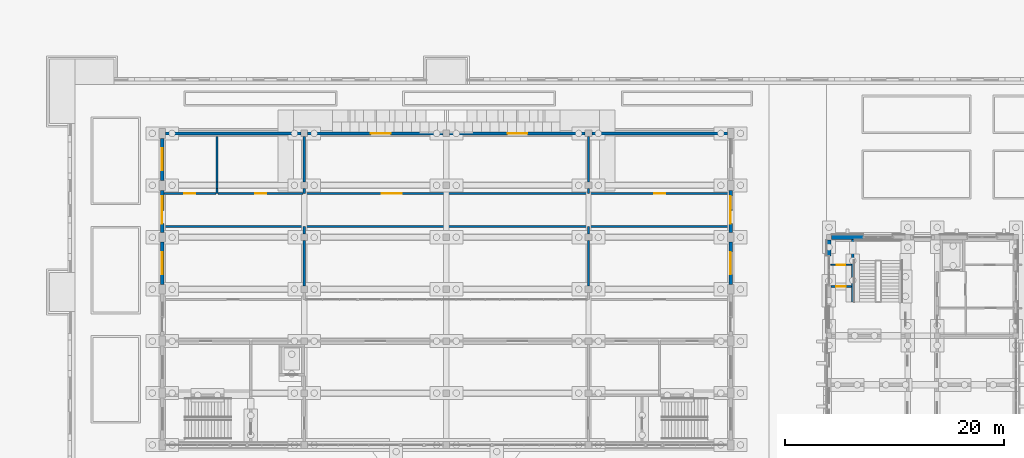
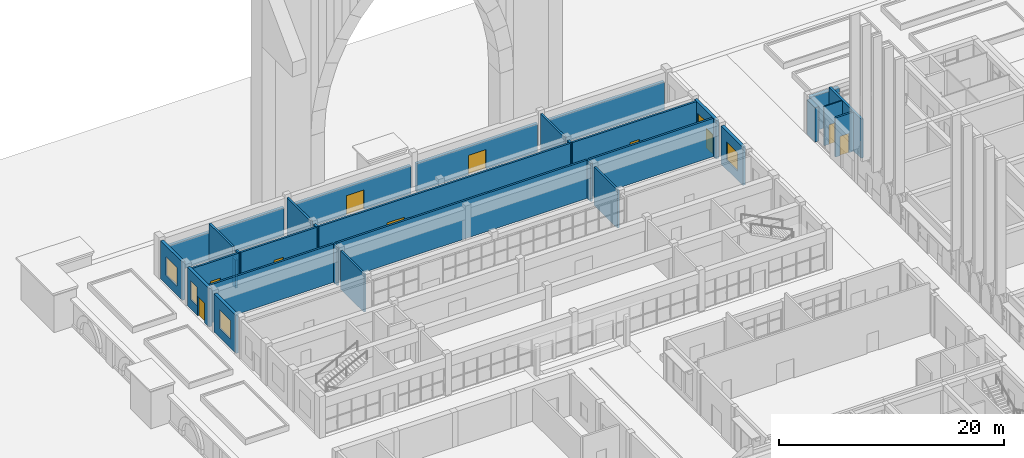
# One storey, part 65 of 161: 32 walls, 10 doors, 5 windows, 15 openings.
"""IFC4 building model written with IfcOpenShell, lengths in metres."""

from ifc_helpers import new_model, si_unit, direction, frame, frame_2d, origin, place, context, subcontext, project, spatial, rectangle, extrude, material, layer, layer_set, type_object, element, fill, save


model = new_model("IFC4")

# Units and contexts
model_context = context("Model", 3, precision=1e-05, world=origin(), true_north=direction((0.0, 1.0)))
body_context = subcontext(model_context, "Body", "Model", "MODEL_VIEW")
ifc_project = project(units=[si_unit("LENGTHUNIT", "METRE"), si_unit("AREAUNIT", "SQUARE_METRE"), si_unit("VOLUMEUNIT", "CUBIC_METRE"), si_unit("PLANEANGLEUNIT", "RADIAN"), si_unit("MASSUNIT", "GRAM", prefix="KILO")], contexts=[model_context])

# Site, building, storey
site_placement = place(None, origin())
site = spatial("IfcSite", under=ifc_project, at=site_placement, CompositionType="ELEMENT")
building_placement = place(site_placement, origin())
building = spatial("IfcBuilding", under=site, at=building_placement, Name="Elbe Cascade School", CompositionType="ELEMENT")
storey_placement = place(building_placement, origin())
storey = spatial("IfcBuildingStorey", under=building, at=storey_placement, Name="L00", CompositionType="ELEMENT", Elevation=0.0)

# Wall, opening, door
ifc_material_1 = material(Name="Masonry - lime-sand block, plastered", Category="masonry")
ifc_layer_1 = layer(ifc_material_1, 0.114990234375)
ifc_layer_set_1 = layer_set([ifc_layer_1], Name="Masonry - lime-sand block, plastered")
wall_type_1 = type_object("IfcWallType", Name="Bar light partition wall lime-sand block 115", PredefinedType="PARTITIONING", material=ifc_layer_set_1)
wall_1_placement = place(storey_placement, frame((69.179931640625, 57.47998046875, 0.0), z_axis=(0.0, 0.0, 1.0), x_axis=(1.0, 0.0, 0.0)))
wall_1 = element("IfcWall", 1, at=wall_1_placement, inside=storey, type_object=wall_type_1, Name="Bar light partition wall lime-sand block 115", PredefinedType="PARTITIONING", context=body_context, shape_type="SweptSolid", body=[
    extrude(rectangle(XDim=1.8701171875, YDim=0.114990234375, at=frame_2d((0.93505859375, 0.0))), origin(), (0.0, 0.0, 1.0), 4.25),
])
opening_1_placement = place(wall_1_placement, frame((0.52001953125, 0.0, 0.0)))
opening_1 = element("IfcOpeningElement", 2, at=opening_1_placement, cuts=wall_1, Name="Opening D0.033", PredefinedType="OPENING", context=body_context, shape_type="SweptSolid", body=[
    extrude(rectangle(XDim=0.800048828125, YDim=2.10009765625, at=frame_2d((0.39990234375, 1.050048828125))), frame((0.0, 0.0673828125, 0.0), z_axis=(0.0, -1.0, 0.0), x_axis=(1.0, 0.0, 0.0)), (0.0, 0.0, 1.0), 0.135009765625),
])
ifc_material_2 = material(Name="Timber door leaf, steel frame", Category="steel")
door_type_1 = type_object("IfcDoorType", Name="Bar door 800x2100", OperationType="NOTDEFINED", PredefinedType="DOOR", material=ifc_material_2)
door_1_placement = place(opening_1_placement, origin())
door_1 = element("IfcDoor", 3, at=door_1_placement, inside=storey, type_object=door_type_1, Name="Door A0.14", OperationType="SINGLE_SWING_LEFT", OverallHeight=2.10009765625, OverallWidth=0.800048828125, PredefinedType="DOOR", context=body_context, shape_type="SweptSolid", body=[
    extrude(rectangle(XDim=0.800048828125, YDim=2.10009765625, at=frame_2d((0.39990234375, 1.050048828125))), frame((0.0, 0.02490234375, 0.0), z_axis=(0.0, -1.0, 0.0), x_axis=(1.0, 0.0, 0.0)), (0.0, 0.0, 1.0), 0.050048828125),
])
fill(opening_1, door_1)

# Wall
ifc_material_3 = material(Name="Concrete C30/37", Category="concrete")
ifc_layer_2 = layer(ifc_material_3, 0.25)
ifc_layer_set_2 = layer_set([ifc_layer_2], Name="Concrete C30/37")
wall_type_2 = type_object("IfcWallType", Name="Bar stair core wall RC 250", PredefinedType="SOLIDWALL", material=ifc_layer_set_2)
wall_2_placement = place(storey_placement, frame((71.175048828125, 54.10009765625, 0.0), z_axis=(0.0, 0.0, 1.0), x_axis=(0.0, 1.0, 0.0)))
element("IfcWall", 4, at=wall_2_placement, inside=storey, type_object=wall_type_2, Name="Bar stair core wall RC 250", PredefinedType="SOLIDWALL", context=body_context, shape_type="SweptSolid", body=[
    extrude(rectangle(XDim=5.719970703125, YDim=0.25, at=frame_2d((2.85986328125, 0.0))), origin(), (0.0, 0.0, 1.0), 4.25),
])

# Wall, opening, door
ifc_material_4 = material(Name="Concrete C30/37", Category="concrete")
ifc_layer_3 = layer(ifc_material_4, 0.199951171875)
ifc_layer_set_3 = layer_set([ifc_layer_3], Name="Concrete C30/37")
wall_type_3 = type_object("IfcWallType", Name="Bar stair lobby wall RC 200", PredefinedType="SOLIDWALL", material=ifc_layer_set_3)
wall_3_placement = place(storey_placement, frame((69.179931640625, 55.5, 0.0), z_axis=(0.0, 0.0, 1.0), x_axis=(1.0, 0.0, 0.0)))
wall_3 = element("IfcWall", 5, at=wall_3_placement, inside=storey, type_object=wall_type_3, Name="Bar stair lobby wall RC 200", PredefinedType="SOLIDWALL", context=body_context, shape_type="SweptSolid", body=[
    extrude(rectangle(XDim=1.8701171875, YDim=0.199951171875, at=frame_2d((0.93505859375, 0.0))), origin(), (0.0, 0.0, 1.0), 4.25),
])
opening_2_placement = place(wall_3_placement, frame((0.469970703125, 0.0, 0.0)))
opening_2 = element("IfcOpeningElement", 6, at=opening_2_placement, cuts=wall_3, Name="Opening D0.031", PredefinedType="OPENING", context=body_context, shape_type="SweptSolid", body=[
    extrude(rectangle(XDim=0.89990234375, YDim=2.10009765625, at=frame_2d((0.449951171875, 1.050048828125))), frame((0.0, 0.10986328125, 0.0), z_axis=(0.0, -1.0, 0.0), x_axis=(1.0, 0.0, 0.0)), (0.0, 0.0, 1.0), 0.219970703125),
])
ifc_material_5 = material(Name="Timber door leaf, fire-resisting and smoke-tight, steel frame", Category="steel")
door_type_2 = type_object("IfcDoorType", Name="Bar door FD30S 900x2100", OperationType="NOTDEFINED", PredefinedType="DOOR", material=ifc_material_5)
door_2_placement = place(opening_2_placement, origin())
door_2 = element("IfcDoor", 7, at=door_2_placement, inside=storey, type_object=door_type_2, Name="Door A0.13", OperationType="SINGLE_SWING_RIGHT", OverallHeight=2.10009765625, OverallWidth=0.89990234375, PredefinedType="DOOR", context=body_context, shape_type="SweptSolid", body=[
    extrude(rectangle(XDim=0.89990234375, YDim=2.10009765625, at=frame_2d((0.449951171875, 1.050048828125))), frame((0.0, 0.02490234375, 0.0), z_axis=(0.0, -1.0, 0.0), x_axis=(1.0, 0.0, 0.0)), (0.0, 0.0, 1.0), 0.050048828125),
])
fill(opening_2, door_2)

# Walls
ifc_material_6 = material(Name="Brick masonry - red clinker, solid, sandstone-faced", Category="masonry")
ifc_layer_4 = layer(ifc_material_6, 0.39990234375)
ifc_layer_set_4 = layer_set([ifc_layer_4], Name="Brick masonry - red clinker, solid, sandstone-faced")
wall_type_4 = type_object("IfcWallType", Name="Bars envelope External wall - solid masonry core strip, sandstone faced, 400", PredefinedType="STANDARD", material=ifc_layer_set_4)
wall_4_placement = place(storey_placement, frame((68.97998046875, 58.31005859375, 0.0), z_axis=(0.0, 0.0, 1.0), x_axis=(0.0, 1.0, 0.0)))
element("IfcWall", 8, at=wall_4_placement, inside=storey, type_object=wall_type_4, Name="External wall W31 A.L00.w6b", PredefinedType="STANDARD", context=body_context, shape_type="SweptSolid", body=[
    extrude(rectangle(XDim=1.43994140625, YDim=0.39990234375, at=frame_2d((0.719970703125, 0.0))), origin(), (0.0, 0.0, 1.0), 3.75),
])
wall_5_placement = place(storey_placement, frame((69.25, 60.02001953125, 0.0), z_axis=(0.0, 0.0, 1.0), x_axis=(1.0, 0.0, 0.0)))
element("IfcWall", 9, at=wall_5_placement, inside=storey, type_object=wall_type_4, Name="External wall W31 A.L00.n1a", PredefinedType="STANDARD", context=body_context, shape_type="SweptSolid", body=[
    extrude(rectangle(XDim=2.89990234375, YDim=0.39990234375, at=frame_2d((1.449951171875, 0.0))), origin(), (0.0, 0.0, 1.0), 3.800048828125),
])
ifc_material_7 = material(Name="Blockwork - lightweight aggregate", Category="masonry")
ifc_layer_5 = layer(ifc_material_7, 0.199951171875)
ifc_layer_set_5 = layer_set([ifc_layer_5], Name="Blockwork - lightweight aggregate")
wall_type_5 = type_object("IfcWallType", Name="Hall blockwork partition 200", PredefinedType="PARTITIONING", material=ifc_layer_set_5)
wall_6_placement = place(storey_placement, frame((8.14990234375, 61.0, 0.0), z_axis=(0.0, 0.0, 1.0), x_axis=(1.0, 0.0, 0.0)))
element("IfcWall", 10, at=wall_6_placement, inside=storey, type_object=wall_type_5, Name="Partition", PredefinedType="PARTITIONING", context=body_context, shape_type="SweptSolid", body=[
    extrude(rectangle(XDim=12.75, YDim=0.199951171875, at=frame_2d((6.375, 0.0))), origin(), (0.0, 0.0, 1.0), 4.14990234375),
])
wall_7_placement = place(storey_placement, frame((21.10009765625, 61.0, 0.0), z_axis=(0.0, 0.0, 1.0), x_axis=(1.0, 0.0, 0.0)))
element("IfcWall", 11, at=wall_7_placement, inside=storey, type_object=wall_type_5, Name="Partition", PredefinedType="PARTITIONING", context=body_context, shape_type="SweptSolid", body=[
    extrude(rectangle(XDim=25.7998046875, YDim=0.199951171875, at=frame_2d((12.89990234375, 0.0))), origin(), (0.0, 0.0, 1.0), 4.14990234375),
])
wall_8_placement = place(storey_placement, frame((47.10009765625, 61.0, 0.0), z_axis=(0.0, 0.0, 1.0), x_axis=(1.0, 0.0, 0.0)))
element("IfcWall", 12, at=wall_8_placement, inside=storey, type_object=wall_type_5, Name="Partition", PredefinedType="PARTITIONING", context=body_context, shape_type="SweptSolid", body=[
    extrude(rectangle(XDim=12.75, YDim=0.199951171875, at=frame_2d((6.375, 0.0))), origin(), (0.0, 0.0, 1.0), 4.14990234375),
])

# Wall, opening, door
wall_9_placement = place(storey_placement, frame((8.14990234375, 64.0, 0.0), z_axis=(0.0, 0.0, 1.0), x_axis=(1.0, 0.0, 0.0)))
wall_9 = element("IfcWall", 13, at=wall_9_placement, inside=storey, type_object=wall_type_5, Name="Partition", PredefinedType="PARTITIONING", context=body_context, shape_type="SweptSolid", body=[
    extrude(rectangle(XDim=4.75, YDim=0.199951171875, at=frame_2d((2.375, 0.0))), origin(), (0.0, 0.0, 1.0), 4.14990234375),
])
opening_3_placement = place(wall_9_placement, frame((1.85009765625, 0.0, 0.0)))
opening_3 = element("IfcOpeningElement", 14, at=opening_3_placement, cuts=wall_9, Name="Opening D0.148", PredefinedType="OPENING", context=body_context, shape_type="SweptSolid", body=[
    extrude(rectangle(XDim=1.0, YDim=2.10009765625, at=frame_2d((0.5, 1.050048828125))), frame((0.0, 0.10986328125, 0.0), z_axis=(0.0, -1.0, 0.0), x_axis=(1.0, 0.0, 0.0)), (0.0, 0.0, 1.0), 0.219970703125),
])
ifc_material_8 = material(Name="Timber door leaf", Category="wood")
door_type_3 = type_object("IfcDoorType", Name="Hall door 1000", OperationType="SINGLE_SWING_LEFT", PredefinedType="DOOR", material=ifc_material_8)
door_3_placement = place(opening_3_placement, origin())
door_3 = element("IfcDoor", 15, at=door_3_placement, inside=storey, type_object=door_type_3, Name="WC door", OperationType="SINGLE_SWING_LEFT", OverallHeight=2.10009765625, OverallWidth=1.0, PredefinedType="DOOR", context=body_context, shape_type="SweptSolid", body=[
    extrude(rectangle(XDim=1.0, YDim=2.10009765625, at=frame_2d((0.5, 1.050048828125))), frame((0.0, 0.02490234375, 0.0), z_axis=(0.0, -1.0, 0.0), x_axis=(1.0, 0.0, 0.0)), (0.0, 0.0, 1.0), 0.050048828125),
])
fill(opening_3, door_3)

wall_10_placement = place(storey_placement, frame((13.10009765625, 64.0, 0.0), z_axis=(0.0, 0.0, 1.0), x_axis=(1.0, 0.0, 0.0)))
wall_10 = element("IfcWall", 16, at=wall_10_placement, inside=storey, type_object=wall_type_5, Name="Partition", PredefinedType="PARTITIONING", context=body_context, shape_type="SweptSolid", body=[
    extrude(rectangle(XDim=7.7998046875, YDim=0.199951171875, at=frame_2d((3.89990234375, 0.0))), origin(), (0.0, 0.0, 1.0), 4.14990234375),
])
opening_4_placement = place(wall_10_placement, frame((3.39990234375, 0.0, 0.0)))
opening_4 = element("IfcOpeningElement", 17, at=opening_4_placement, cuts=wall_10, Name="Opening D0.149", PredefinedType="OPENING", context=body_context, shape_type="SweptSolid", body=[
    extrude(rectangle(XDim=1.0, YDim=2.10009765625, at=frame_2d((0.5, 1.050048828125))), frame((0.0, 0.10986328125, 0.0), z_axis=(0.0, -1.0, 0.0), x_axis=(1.0, 0.0, 0.0)), (0.0, 0.0, 1.0), 0.219970703125),
])
door_4_placement = place(opening_4_placement, origin())
door_4 = element("IfcDoor", 18, at=door_4_placement, inside=storey, type_object=door_type_3, Name="Changing room door", OperationType="SINGLE_SWING_RIGHT", OverallHeight=2.10009765625, OverallWidth=1.0, PredefinedType="DOOR", context=body_context, shape_type="SweptSolid", body=[
    extrude(rectangle(XDim=1.0, YDim=2.10009765625, at=frame_2d((0.5, 1.050048828125))), frame((0.0, 0.02490234375, 0.0), z_axis=(0.0, -1.0, 0.0), x_axis=(1.0, 0.0, 0.0)), (0.0, 0.0, 1.0), 0.050048828125),
])
fill(opening_4, door_4)

wall_11_placement = place(storey_placement, frame((21.10009765625, 64.0, 0.0), z_axis=(0.0, 0.0, 1.0), x_axis=(1.0, 0.0, 0.0)))
wall_11 = element("IfcWall", 19, at=wall_11_placement, inside=storey, type_object=wall_type_5, Name="Partition", PredefinedType="PARTITIONING", context=body_context, shape_type="SweptSolid", body=[
    extrude(rectangle(XDim=25.7998046875, YDim=0.199951171875, at=frame_2d((12.89990234375, 0.0))), origin(), (0.0, 0.0, 1.0), 4.14990234375),
])
opening_5_placement = place(wall_11_placement, frame((7.0, 0.0, 0.0)))
opening_5 = element("IfcOpeningElement", 20, at=opening_5_placement, cuts=wall_11, Name="Opening D0.150", PredefinedType="OPENING", context=body_context, shape_type="SweptSolid", body=[
    extrude(rectangle(XDim=1.800048828125, YDim=2.10009765625, at=frame_2d((0.89990234375, 1.050048828125))), frame((0.0, 0.10986328125, 0.0), z_axis=(0.0, -1.0, 0.0), x_axis=(1.0, 0.0, 0.0)), (0.0, 0.0, 1.0), 0.219970703125),
])
ifc_material_9 = material(Name="Timber door leaf", Category="wood")
door_type_4 = type_object("IfcDoorType", Name="Hall double door 1800", OperationType="DOUBLE_DOOR_SINGLE_SWING", PredefinedType="DOOR", material=ifc_material_9)
door_5_placement = place(opening_5_placement, origin())
door_5 = element("IfcDoor", 21, at=door_5_placement, inside=storey, type_object=door_type_4, Name="Store door", OperationType="DOUBLE_DOOR_SINGLE_SWING", OverallHeight=2.10009765625, OverallWidth=1.800048828125, PredefinedType="DOOR", context=body_context, shape_type="SweptSolid", body=[
    extrude(rectangle(XDim=1.800048828125, YDim=2.10009765625, at=frame_2d((0.89990234375, 1.050048828125))), frame((0.0, 0.02490234375, 0.0), z_axis=(0.0, -1.0, 0.0), x_axis=(1.0, 0.0, 0.0)), (0.0, 0.0, 1.0), 0.050048828125),
])
fill(opening_5, door_5)

# Walls
wall_12_placement = place(storey_placement, frame((13.0, 64.0, 0.0), z_axis=(0.0, 0.0, 1.0), x_axis=(0.0, 1.0, 0.0)))
element("IfcWall", 22, at=wall_12_placement, inside=storey, type_object=wall_type_5, Name="Partition", PredefinedType="PARTITIONING", context=body_context, shape_type="SweptSolid", body=[
    extrude(rectangle(XDim=0.449951171875, YDim=0.199951171875, at=frame_2d((0.22509765625, 0.0))), origin(), (0.0, 0.0, 1.0), 4.14990234375),
])
wall_13_placement = place(storey_placement, frame((13.0, 64.449951171875, 0.0), z_axis=(0.0, 0.0, 1.0), x_axis=(0.0, 1.0, 0.0)))
element("IfcWall", 23, at=wall_13_placement, inside=storey, type_object=wall_type_5, Name="Partition", PredefinedType="PARTITIONING", context=body_context, shape_type="SweptSolid", body=[
    extrude(rectangle(XDim=0.60009765625, YDim=0.199951171875, at=frame_2d((0.300048828125, 0.0))), origin(), (0.0, 0.0, 1.0), 3.050048828125),
])
for number, where, z_axis, x_axis, name in (
    (24, (13.0, 65.050048828125, 0.0), (0.0, 0.0, 1.0), (0.0, 1.0, 0.0), "Partition"),
    (25, (21.0, 55.550048828125, 0.0), (0.0, 0.0, 1.0), (0.0, 1.0, 0.0), "Partition"),
):
    element("IfcWall", number, at=place(storey_placement, frame(where, z_axis=z_axis, x_axis=x_axis)), inside=storey, type_object=wall_type_5, Name=name, PredefinedType="PARTITIONING", context=body_context, shape_type="SweptSolid", body=[
        extrude(rectangle(XDim=4.14990234375, YDim=0.199951171875, at=frame_2d((2.074951171875, 0.0))), origin(), (0.0, 0.0, 1.0), 4.14990234375),
    ])
wall_14_placement = place(storey_placement, frame((21.0, 60.300048828125, 0.0), z_axis=(0.0, 0.0, 1.0), x_axis=(0.0, 1.0, 0.0)))
element("IfcWall", 26, at=wall_14_placement, inside=storey, type_object=wall_type_5, Name="Partition", PredefinedType="PARTITIONING", context=body_context, shape_type="SweptSolid", body=[
    extrude(rectangle(XDim=0.699951171875, YDim=0.199951171875, at=frame_2d((0.35009765625, 0.0))), origin(), (0.0, 0.0, 1.0), 4.14990234375),
])
wall_15_placement = place(storey_placement, frame((21.0, 64.0, 0.0), z_axis=(0.0, 0.0, 1.0), x_axis=(0.0, 1.0, 0.0)))
element("IfcWall", 27, at=wall_15_placement, inside=storey, type_object=wall_type_5, Name="Partition", PredefinedType="PARTITIONING", context=body_context, shape_type="SweptSolid", body=[
    extrude(rectangle(XDim=0.449951171875, YDim=0.199951171875, at=frame_2d((0.22509765625, 0.0))), origin(), (0.0, 0.0, 1.0), 4.14990234375),
])
for number, where, z_axis, x_axis, name in (
    (28, (21.0, 65.050048828125, 0.0), (0.0, 0.0, 1.0), (0.0, 1.0, 0.0), "Partition"),
    (29, (47.0, 55.550048828125, 0.0), (0.0, 0.0, 1.0), (0.0, 1.0, 0.0), "Partition"),
):
    element("IfcWall", number, at=place(storey_placement, frame(where, z_axis=z_axis, x_axis=x_axis)), inside=storey, type_object=wall_type_5, Name=name, PredefinedType="PARTITIONING", context=body_context, shape_type="SweptSolid", body=[
        extrude(rectangle(XDim=4.14990234375, YDim=0.199951171875, at=frame_2d((2.074951171875, 0.0))), origin(), (0.0, 0.0, 1.0), 4.14990234375),
    ])
wall_16_placement = place(storey_placement, frame((47.0, 60.300048828125, 0.0), z_axis=(0.0, 0.0, 1.0), x_axis=(0.0, 1.0, 0.0)))
element("IfcWall", 30, at=wall_16_placement, inside=storey, type_object=wall_type_5, Name="Partition", PredefinedType="PARTITIONING", context=body_context, shape_type="SweptSolid", body=[
    extrude(rectangle(XDim=0.699951171875, YDim=0.199951171875, at=frame_2d((0.35009765625, 0.0))), origin(), (0.0, 0.0, 1.0), 4.14990234375),
])

# Wall, opening, door
ifc_material_10 = material(Name="Blockwork - lightweight aggregate, fire-rated", Category="masonry")
ifc_layer_6 = layer(ifc_material_10, 0.199951171875)
ifc_layer_set_6 = layer_set([ifc_layer_6], Name="Blockwork - lightweight aggregate, fire-rated")
wall_type_6 = type_object("IfcWallType", Name="Hall fire-rated partition 200", PredefinedType="PARTITIONING", material=ifc_layer_set_6)
wall_17_placement = place(storey_placement, frame((47.10009765625, 64.0, 0.0), z_axis=(0.0, 0.0, 1.0), x_axis=(1.0, 0.0, 0.0)))
wall_17 = element("IfcWall", 31, at=wall_17_placement, inside=storey, type_object=wall_type_6, Name="Partition", PredefinedType="PARTITIONING", context=body_context, shape_type="SweptSolid", body=[
    extrude(rectangle(XDim=12.75, YDim=0.199951171875, at=frame_2d((6.375, 0.0))), origin(), (0.0, 0.0, 1.0), 4.14990234375),
])
opening_6_placement = place(wall_17_placement, frame((5.89990234375, 0.0, 0.0)))
opening_6 = element("IfcOpeningElement", 32, at=opening_6_placement, cuts=wall_17, Name="Opening D0.151", PredefinedType="OPENING", context=body_context, shape_type="SweptSolid", body=[
    extrude(rectangle(XDim=1.0, YDim=2.10009765625, at=frame_2d((0.5, 1.050048828125))), frame((0.0, 0.10986328125, 0.0), z_axis=(0.0, -1.0, 0.0), x_axis=(1.0, 0.0, 0.0)), (0.0, 0.0, 1.0), 0.219970703125),
])
door_6_placement = place(opening_6_placement, origin())
door_6 = element("IfcDoor", 33, at=door_6_placement, inside=storey, type_object=door_type_3, Name="Plant room door", OperationType="SINGLE_SWING_LEFT", OverallHeight=2.10009765625, OverallWidth=1.0, PredefinedType="DOOR", context=body_context, shape_type="SweptSolid", body=[
    extrude(rectangle(XDim=1.0, YDim=2.10009765625, at=frame_2d((0.5, 1.050048828125))), frame((0.0, 0.02490234375, 0.0), z_axis=(0.0, -1.0, 0.0), x_axis=(1.0, 0.0, 0.0)), (0.0, 0.0, 1.0), 0.050048828125),
])
fill(opening_6, door_6)

# Walls
wall_18_placement = place(storey_placement, frame((47.0, 64.0, 0.0), z_axis=(0.0, 0.0, 1.0), x_axis=(0.0, 1.0, 0.0)))
element("IfcWall", 34, at=wall_18_placement, inside=storey, type_object=wall_type_6, Name="Partition", PredefinedType="PARTITIONING", context=body_context, shape_type="SweptSolid", body=[
    extrude(rectangle(XDim=0.449951171875, YDim=0.199951171875, at=frame_2d((0.22509765625, 0.0))), origin(), (0.0, 0.0, 1.0), 4.14990234375),
])
wall_19_placement = place(storey_placement, frame((47.0, 65.050048828125, 0.0), z_axis=(0.0, 0.0, 1.0), x_axis=(0.0, 1.0, 0.0)))
element("IfcWall", 35, at=wall_19_placement, inside=storey, type_object=wall_type_6, Name="Partition", PredefinedType="PARTITIONING", context=body_context, shape_type="SweptSolid", body=[
    extrude(rectangle(XDim=4.14990234375, YDim=0.199951171875, at=frame_2d((2.074951171875, 0.0))), origin(), (0.0, 0.0, 1.0), 4.14990234375),
])

# Wall, opening, window
ifc_material_11 = material(Name="Concrete C30/37 wall", Category="concrete")
ifc_layer_7 = layer(ifc_material_11, 0.300048828125)
ifc_layer_set_7 = layer_set([ifc_layer_7], Name="Concrete C30/37 wall")
wall_type_7 = type_object("IfcWallType", Name="Hall wall Concrete C30/37 300", PredefinedType="SOLIDWALL", material=ifc_layer_set_7)
wall_20_placement = place(storey_placement, frame((8.0, 55.699951171875, 0.0), z_axis=(0.0, 0.0, 1.0), x_axis=(0.0, 1.0, 0.0)))
wall_20 = element("IfcWall", 36, at=wall_20_placement, inside=storey, type_object=wall_type_7, Name="Hall wall W4", PredefinedType="SOLIDWALL", context=body_context, shape_type="SweptSolid", body=[
    extrude(rectangle(XDim=3.85009765625, YDim=0.300048828125, at=frame_2d((1.925048828125, 0.0))), origin(), (0.0, 0.0, 1.0), 4.14990234375),
])
opening_7_placement = place(wall_20_placement, frame((0.925048828125, 0.0, 1.0)))
opening_7 = element("IfcOpeningElement", 37, at=opening_7_placement, cuts=wall_20, Name="Opening W0.131", PredefinedType="OPENING", context=body_context, shape_type="SweptSolid", body=[
    extrude(rectangle(XDim=2.0, YDim=2.0, at=frame_2d((1.0, 1.0))), frame((0.0, 0.159912109375, 0.0), z_axis=(0.0, -1.0, 0.0), x_axis=(1.0, 0.0, 0.0)), (0.0, 0.0, 1.0), 0.320068359375),
])
ifc_material_12 = material(Name="Glass - double glazed low-E", Category="glass")
window_type_1 = type_object("IfcWindowType", Name="Hall base window 2000x2000", PartitioningType="SINGLE_PANEL", PredefinedType="WINDOW", material=ifc_material_12)
window_1_placement = place(opening_7_placement, origin())
window_1 = element("IfcWindow", 38, at=window_1_placement, inside=storey, type_object=window_type_1, Name="Window W4", OverallHeight=2.0, OverallWidth=2.0, PartitioningType="SINGLE_PANEL", PredefinedType="WINDOW", context=body_context, shape_type="SweptSolid", body=[
    extrude(rectangle(XDim=2.0, YDim=2.0, at=frame_2d((1.0, 1.0))), frame((0.0, 0.030029296875, 0.0), z_axis=(0.0, -1.0, 0.0), x_axis=(1.0, 0.0, 0.0)), (0.0, 0.0, 1.0), 0.06005859375),
])
fill(opening_7, window_1)

# Wall, openings, window, door
wall_21_placement = place(storey_placement, frame((8.0, 60.449951171875, 0.0), z_axis=(0.0, 0.0, 1.0), x_axis=(0.0, 1.0, 0.0)))
wall_21 = element("IfcWall", 39, at=wall_21_placement, inside=storey, type_object=wall_type_7, Name="Hall wall W5", PredefinedType="SOLIDWALL", context=body_context, shape_type="SweptSolid", body=[
    extrude(rectangle(XDim=3.85009765625, YDim=0.300048828125, at=frame_2d((1.925048828125, 0.0))), origin(), (0.0, 0.0, 1.0), 4.14990234375),
])
opening_8_placement = place(wall_21_placement, frame((2.10009765625, 0.0, 1.0)))
opening_8 = element("IfcOpeningElement", 40, at=opening_8_placement, cuts=wall_21, Name="Opening W0.133", PredefinedType="OPENING", context=body_context, shape_type="SweptSolid", body=[
    extrude(rectangle(XDim=1.199951171875, YDim=2.0, at=frame_2d((0.60009765625, 1.0))), frame((0.0, 0.159912109375, 0.0), z_axis=(0.0, -1.0, 0.0), x_axis=(1.0, 0.0, 0.0)), (0.0, 0.0, 1.0), 0.320068359375),
])
opening_9_placement = place(wall_21_placement, frame((0.800048828125, 0.0, 0.0)))
opening_9 = element("IfcOpeningElement", 41, at=opening_9_placement, cuts=wall_21, Name="Opening D0.146", PredefinedType="OPENING", context=body_context, shape_type="SweptSolid", body=[
    extrude(rectangle(XDim=1.199951171875, YDim=2.10009765625, at=frame_2d((0.60009765625, 1.050048828125))), frame((0.0, 0.159912109375, 0.0), z_axis=(0.0, -1.0, 0.0), x_axis=(1.0, 0.0, 0.0)), (0.0, 0.0, 1.0), 0.320068359375),
])
ifc_material_13 = material(Name="Glass - double glazed low-E", Category="glass")
window_type_2 = type_object("IfcWindowType", Name="Hall base window 1200x2000", PartitioningType="SINGLE_PANEL", PredefinedType="WINDOW", material=ifc_material_13)
window_2_placement = place(opening_8_placement, origin())
window_2 = element("IfcWindow", 42, at=window_2_placement, inside=storey, type_object=window_type_2, Name="Window W5", OverallHeight=2.0, OverallWidth=1.199951171875, PartitioningType="SINGLE_PANEL", PredefinedType="WINDOW", context=body_context, shape_type="SweptSolid", body=[
    extrude(rectangle(XDim=1.199951171875, YDim=2.0, at=frame_2d((0.60009765625, 1.0))), frame((0.0, 0.030029296875, 0.0), z_axis=(0.0, -1.0, 0.0), x_axis=(1.0, 0.0, 0.0)), (0.0, 0.0, 1.0), 0.06005859375),
])
fill(opening_8, window_2)
ifc_material_14 = material(Name="Aluminium - powder coated frame, glazed leaf", Category="aluminium")
door_type_5 = type_object("IfcDoorType", Name="Hall exterior door 1200", OperationType="SINGLE_SWING_LEFT", PredefinedType="DOOR", material=ifc_material_14)
door_7_placement = place(opening_9_placement, origin())
door_7 = element("IfcDoor", 43, at=door_7_placement, inside=storey, type_object=door_type_5, Name="Exit", OperationType="SINGLE_SWING_RIGHT", OverallHeight=2.10009765625, OverallWidth=1.199951171875, PredefinedType="DOOR", context=body_context, shape_type="SweptSolid", body=[
    extrude(rectangle(XDim=1.199951171875, YDim=2.10009765625, at=frame_2d((0.60009765625, 1.050048828125))), frame((0.0, 0.02490234375, 0.0), z_axis=(0.0, -1.0, 0.0), x_axis=(1.0, 0.0, 0.0)), (0.0, 0.0, 1.0), 0.050048828125),
])
fill(opening_9, door_7)

# Wall, opening, window
wall_22_placement = place(storey_placement, frame((8.0, 65.199951171875, 0.0), z_axis=(0.0, 0.0, 1.0), x_axis=(0.0, 1.0, 0.0)))
wall_22 = element("IfcWall", 44, at=wall_22_placement, inside=storey, type_object=wall_type_7, Name="Hall wall W6", PredefinedType="SOLIDWALL", context=body_context, shape_type="SweptSolid", body=[
    extrude(rectangle(XDim=3.85009765625, YDim=0.300048828125, at=frame_2d((1.925048828125, 0.0))), origin(), (0.0, 0.0, 1.0), 4.14990234375),
])
opening_10_placement = place(wall_22_placement, frame((0.925048828125, 0.0, 1.0)))
opening_10 = element("IfcOpeningElement", 45, at=opening_10_placement, cuts=wall_22, Name="Opening W0.135", PredefinedType="OPENING", context=body_context, shape_type="SweptSolid", body=[
    extrude(rectangle(XDim=2.0, YDim=2.0, at=frame_2d((1.0, 1.0))), frame((0.0, 0.159912109375, 0.0), z_axis=(0.0, -1.0, 0.0), x_axis=(1.0, 0.0, 0.0)), (0.0, 0.0, 1.0), 0.320068359375),
])
window_3_placement = place(opening_10_placement, origin())
window_3 = element("IfcWindow", 46, at=window_3_placement, inside=storey, type_object=window_type_1, Name="Window W6", OverallHeight=2.0, OverallWidth=2.0, PartitioningType="SINGLE_PANEL", PredefinedType="WINDOW", context=body_context, shape_type="SweptSolid", body=[
    extrude(rectangle(XDim=2.0, YDim=2.0, at=frame_2d((1.0, 1.0))), frame((0.0, 0.030029296875, 0.0), z_axis=(0.0, -1.0, 0.0), x_axis=(1.0, 0.0, 0.0)), (0.0, 0.0, 1.0), 0.06005859375),
])
fill(opening_10, window_3)

wall_23_placement = place(storey_placement, frame((60.0, 55.699951171875, 0.0), z_axis=(0.0, 0.0, 1.0), x_axis=(0.0, 1.0, 0.0)))
wall_23 = element("IfcWall", 47, at=wall_23_placement, inside=storey, type_object=wall_type_7, Name="Hall wall E4", PredefinedType="SOLIDWALL", context=body_context, shape_type="SweptSolid", body=[
    extrude(rectangle(XDim=3.85009765625, YDim=0.300048828125, at=frame_2d((1.925048828125, 0.0))), origin(), (0.0, 0.0, 1.0), 4.14990234375),
])
opening_11_placement = place(wall_23_placement, frame((0.925048828125, 0.0, 1.0)))
opening_11 = element("IfcOpeningElement", 48, at=opening_11_placement, cuts=wall_23, Name="Opening W0.132", PredefinedType="OPENING", context=body_context, shape_type="SweptSolid", body=[
    extrude(rectangle(XDim=2.0, YDim=2.0, at=frame_2d((1.0, 1.0))), frame((0.0, 0.159912109375, 0.0), z_axis=(0.0, -1.0, 0.0), x_axis=(1.0, 0.0, 0.0)), (0.0, 0.0, 1.0), 0.320068359375),
])
window_4_placement = place(opening_11_placement, origin())
window_4 = element("IfcWindow", 49, at=window_4_placement, inside=storey, type_object=window_type_1, Name="Window E4", OverallHeight=2.0, OverallWidth=2.0, PartitioningType="SINGLE_PANEL", PredefinedType="WINDOW", context=body_context, shape_type="SweptSolid", body=[
    extrude(rectangle(XDim=2.0, YDim=2.0, at=frame_2d((1.0, 1.0))), frame((0.0, 0.030029296875, 0.0), z_axis=(0.0, -1.0, 0.0), x_axis=(1.0, 0.0, 0.0)), (0.0, 0.0, 1.0), 0.06005859375),
])
fill(opening_11, window_4)

# Wall, openings, window, door
wall_24_placement = place(storey_placement, frame((60.0, 60.449951171875, 0.0), z_axis=(0.0, 0.0, 1.0), x_axis=(0.0, 1.0, 0.0)))
wall_24 = element("IfcWall", 50, at=wall_24_placement, inside=storey, type_object=wall_type_7, Name="Hall wall E5", PredefinedType="SOLIDWALL", context=body_context, shape_type="SweptSolid", body=[
    extrude(rectangle(XDim=3.85009765625, YDim=0.300048828125, at=frame_2d((1.925048828125, 0.0))), origin(), (0.0, 0.0, 1.0), 4.14990234375),
])
opening_12_placement = place(wall_24_placement, frame((2.10009765625, 0.0, 1.0)))
opening_12 = element("IfcOpeningElement", 51, at=opening_12_placement, cuts=wall_24, Name="Opening W0.134", PredefinedType="OPENING", context=body_context, shape_type="SweptSolid", body=[
    extrude(rectangle(XDim=1.199951171875, YDim=2.0, at=frame_2d((0.60009765625, 1.0))), frame((0.0, 0.159912109375, 0.0), z_axis=(0.0, -1.0, 0.0), x_axis=(1.0, 0.0, 0.0)), (0.0, 0.0, 1.0), 0.320068359375),
])
opening_13_placement = place(wall_24_placement, frame((0.800048828125, 0.0, 0.0)))
opening_13 = element("IfcOpeningElement", 52, at=opening_13_placement, cuts=wall_24, Name="Opening D0.147", PredefinedType="OPENING", context=body_context, shape_type="SweptSolid", body=[
    extrude(rectangle(XDim=1.199951171875, YDim=2.10009765625, at=frame_2d((0.60009765625, 1.050048828125))), frame((0.0, 0.159912109375, 0.0), z_axis=(0.0, -1.0, 0.0), x_axis=(1.0, 0.0, 0.0)), (0.0, 0.0, 1.0), 0.320068359375),
])
window_5_placement = place(opening_12_placement, origin())
window_5 = element("IfcWindow", 53, at=window_5_placement, inside=storey, type_object=window_type_2, Name="Window E5", OverallHeight=2.0, OverallWidth=1.199951171875, PartitioningType="SINGLE_PANEL", PredefinedType="WINDOW", context=body_context, shape_type="SweptSolid", body=[
    extrude(rectangle(XDim=1.199951171875, YDim=2.0, at=frame_2d((0.60009765625, 1.0))), frame((0.0, 0.030029296875, 0.0), z_axis=(0.0, -1.0, 0.0), x_axis=(1.0, 0.0, 0.0)), (0.0, 0.0, 1.0), 0.06005859375),
])
fill(opening_12, window_5)
door_8_placement = place(opening_13_placement, frame((1.199951171875, 0.0, 0.0), z_axis=(0.0, 0.0, 1.0), x_axis=(-1.0, 0.0, 0.0)))
door_8 = element("IfcDoor", 54, at=door_8_placement, inside=storey, type_object=door_type_5, Name="Exit", OperationType="SINGLE_SWING_LEFT", OverallHeight=2.10009765625, OverallWidth=1.199951171875, PredefinedType="DOOR", context=body_context, shape_type="SweptSolid", body=[
    extrude(rectangle(XDim=1.199951171875, YDim=2.10009765625, at=frame_2d((0.60009765625, 1.050048828125))), frame((0.0, 0.02490234375, 0.0), z_axis=(0.0, -1.0, 0.0), x_axis=(1.0, 0.0, 0.0)), (0.0, 0.0, 1.0), 0.050048828125),
])
fill(opening_13, door_8)

# Wall
ifc_material_15 = material(Name="Concrete C30/37 wall", Category="concrete")
ifc_layer_8 = layer(ifc_material_15, 0.300048828125)
ifc_layer_set_8 = layer_set([ifc_layer_8], Name="Concrete C30/37 wall")
wall_type_8 = type_object("IfcWallType", Name="Hall wall Concrete C30/37 300 non-load-bearing", PredefinedType="SOLIDWALL", material=ifc_layer_set_8)
wall_25_placement = place(storey_placement, frame((8.300048828125, 69.5, 0.0), z_axis=(0.0, 0.0, 1.0), x_axis=(1.0, 0.0, 0.0)))
element("IfcWall", 55, at=wall_25_placement, inside=storey, type_object=wall_type_8, Name="Hall gable wall N1", PredefinedType="SOLIDWALL", context=body_context, shape_type="SweptSolid", body=[
    extrude(rectangle(XDim=12.39990234375, YDim=0.300048828125, at=frame_2d((6.199951171875, 0.0))), origin(), (0.0, 0.0, 1.0), 3.050048828125),
])

# Wall, opening, door
wall_26_placement = place(storey_placement, frame((21.300048828125, 69.5, 0.0), z_axis=(0.0, 0.0, 1.0), x_axis=(1.0, 0.0, 0.0)))
wall_26 = element("IfcWall", 56, at=wall_26_placement, inside=storey, type_object=wall_type_8, Name="Hall gable wall N2", PredefinedType="SOLIDWALL", context=body_context, shape_type="SweptSolid", body=[
    extrude(rectangle(XDim=12.39990234375, YDim=0.300048828125, at=frame_2d((6.199951171875, 0.0))), origin(), (0.0, 0.0, 1.0), 3.050048828125),
])
opening_14_placement = place(wall_26_placement, frame((5.800048828125, 0.0, 0.0)))
opening_14 = element("IfcOpeningElement", 57, at=opening_14_placement, cuts=wall_26, Name="Opening D0.153", PredefinedType="OPENING", context=body_context, shape_type="SweptSolid", body=[
    extrude(rectangle(XDim=1.800048828125, YDim=2.10009765625, at=frame_2d((0.89990234375, 1.050048828125))), frame((0.0, 0.159912109375, 0.0), z_axis=(0.0, -1.0, 0.0), x_axis=(1.0, 0.0, 0.0)), (0.0, 0.0, 1.0), 0.320068359375),
])
ifc_material_16 = material(Name="Aluminium - powder coated frame, glazed leaf", Category="aluminium")
door_type_6 = type_object("IfcDoorType", Name="Hall exterior double door 1800", OperationType="DOUBLE_DOOR_SINGLE_SWING", PredefinedType="DOOR", material=ifc_material_16)
door_9_placement = place(opening_14_placement, origin())
door_9 = element("IfcDoor", 58, at=door_9_placement, inside=storey, type_object=door_type_6, Name="Service door", OperationType="DOUBLE_DOOR_SINGLE_SWING", OverallHeight=2.10009765625, OverallWidth=1.800048828125, PredefinedType="DOOR", context=body_context, shape_type="SweptSolid", body=[
    extrude(rectangle(XDim=1.800048828125, YDim=2.10009765625, at=frame_2d((0.89990234375, 1.050048828125))), frame((0.0, 0.02490234375, 0.0), z_axis=(0.0, -1.0, 0.0), x_axis=(1.0, 0.0, 0.0)), (0.0, 0.0, 1.0), 0.050048828125),
])
fill(opening_14, door_9)

wall_27_placement = place(storey_placement, frame((34.300048828125, 69.5, 0.0), z_axis=(0.0, 0.0, 1.0), x_axis=(1.0, 0.0, 0.0)))
wall_27 = element("IfcWall", 59, at=wall_27_placement, inside=storey, type_object=wall_type_8, Name="Hall gable wall N3", PredefinedType="SOLIDWALL", context=body_context, shape_type="SweptSolid", body=[
    extrude(rectangle(XDim=12.39990234375, YDim=0.300048828125, at=frame_2d((6.199951171875, 0.0))), origin(), (0.0, 0.0, 1.0), 3.050048828125),
])
opening_15_placement = place(wall_27_placement, frame((5.300048828125, 0.0, 0.0)))
opening_15 = element("IfcOpeningElement", 60, at=opening_15_placement, cuts=wall_27, Name="Opening D0.154", PredefinedType="OPENING", context=body_context, shape_type="SweptSolid", body=[
    extrude(rectangle(XDim=1.800048828125, YDim=2.10009765625, at=frame_2d((0.89990234375, 1.050048828125))), frame((0.0, 0.159912109375, 0.0), z_axis=(0.0, -1.0, 0.0), x_axis=(1.0, 0.0, 0.0)), (0.0, 0.0, 1.0), 0.320068359375),
])
door_10_placement = place(opening_15_placement, origin())
door_10 = element("IfcDoor", 61, at=door_10_placement, inside=storey, type_object=door_type_6, Name="Service door", OperationType="DOUBLE_DOOR_SINGLE_SWING", OverallHeight=2.10009765625, OverallWidth=1.800048828125, PredefinedType="DOOR", context=body_context, shape_type="SweptSolid", body=[
    extrude(rectangle(XDim=1.800048828125, YDim=2.10009765625, at=frame_2d((0.89990234375, 1.050048828125))), frame((0.0, 0.02490234375, 0.0), z_axis=(0.0, -1.0, 0.0), x_axis=(1.0, 0.0, 0.0)), (0.0, 0.0, 1.0), 0.050048828125),
])
fill(opening_15, door_10)

# Wall
wall_28_placement = place(storey_placement, frame((47.300048828125, 69.5, 0.0), z_axis=(0.0, 0.0, 1.0), x_axis=(1.0, 0.0, 0.0)))
element("IfcWall", 62, at=wall_28_placement, inside=storey, type_object=wall_type_8, Name="Hall gable wall N4", PredefinedType="SOLIDWALL", context=body_context, shape_type="SweptSolid", body=[
    extrude(rectangle(XDim=12.39990234375, YDim=0.300048828125, at=frame_2d((6.199951171875, 0.0))), origin(), (0.0, 0.0, 1.0), 3.050048828125),
])

save(model, "model.ifc")
